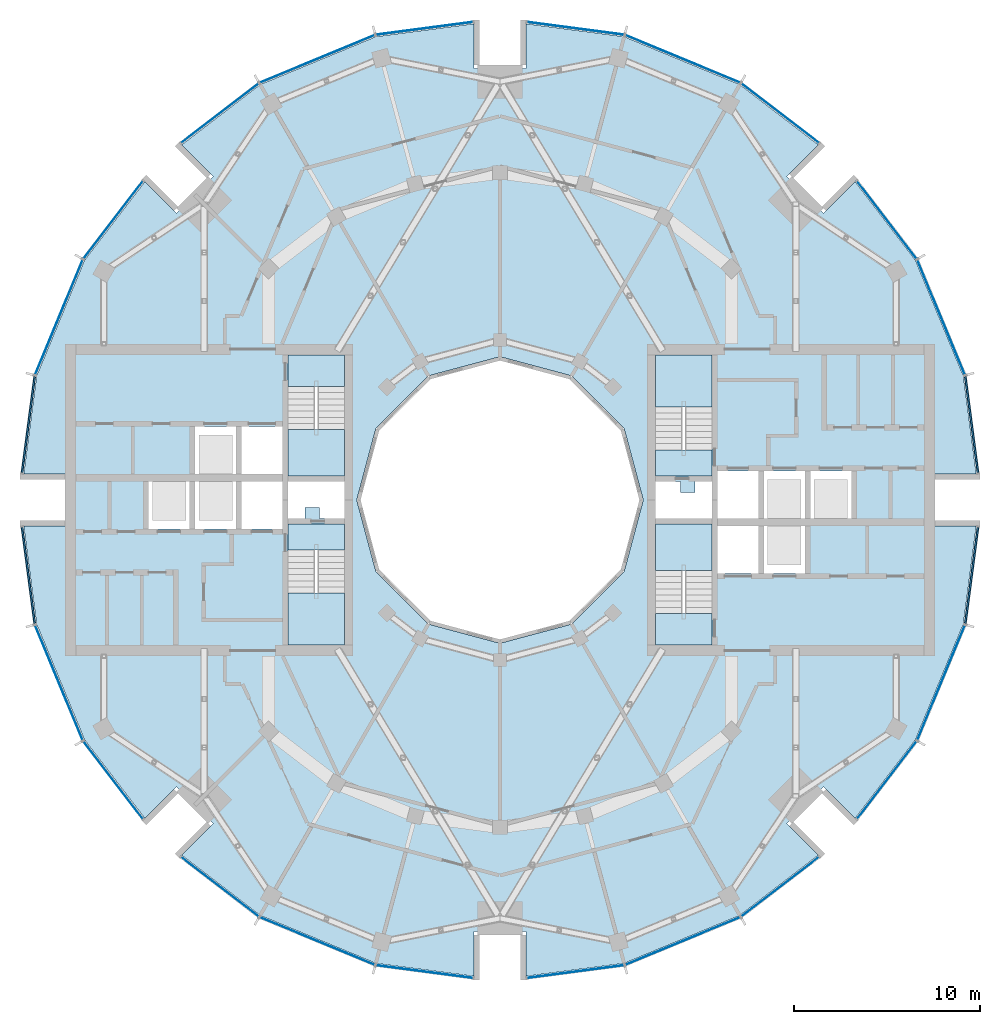
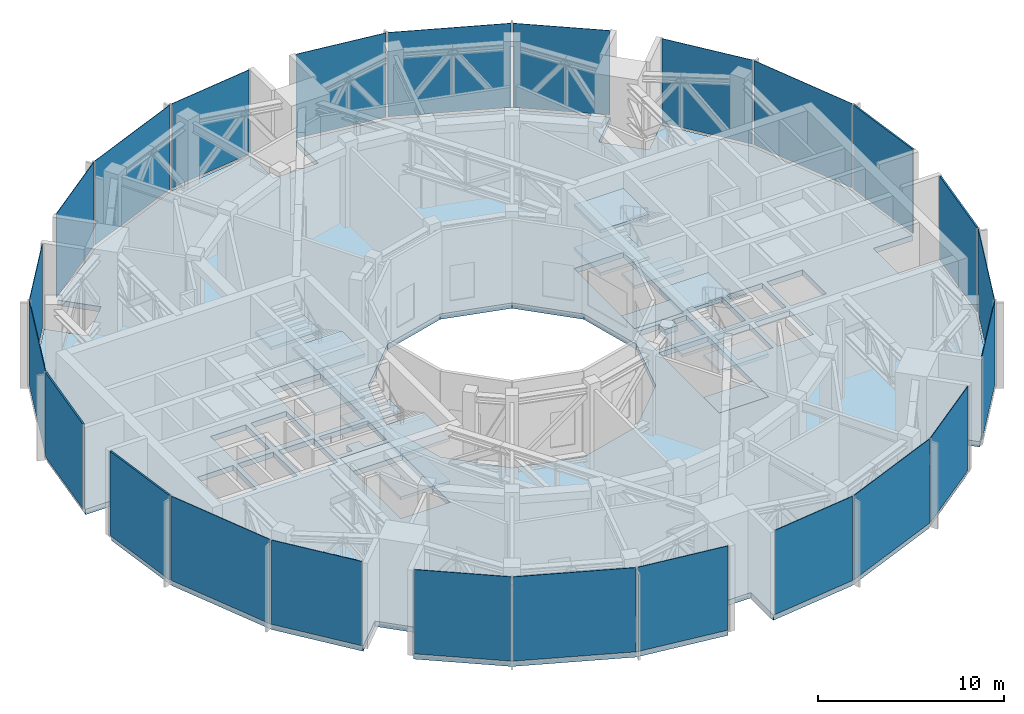
# One storey, part 11 of 18: 24 plates, 17 slabs, 28 elements without a shape of their own.
"""IFC4 building model written with IfcOpenShell, lengths in metres."""

from ifc_helpers import new_model, si_unit, direction, frame, origin, origin_2d, place, context, subcontext, project, spatial, polyline, rectangle, outline, extrude, material, layer, layer_set, type_object, element, aggregate, save


model = new_model("IFC4")

# Units and contexts
model_context = context("Model", 3, precision=1e-05, world=origin(), true_north=direction((0.0, 1.0)))
body_context = subcontext(model_context, "Body", "Model", "MODEL_VIEW")
ifc_project = project(units=[si_unit("LENGTHUNIT", "METRE"), si_unit("AREAUNIT", "SQUARE_METRE"), si_unit("VOLUMEUNIT", "CUBIC_METRE"), si_unit("PLANEANGLEUNIT", "RADIAN"), si_unit("MASSUNIT", "GRAM", prefix="KILO")], contexts=[model_context])

# Site, building, storey
site_placement = place(None, origin())
site = spatial("IfcSite", under=ifc_project, at=site_placement, CompositionType="ELEMENT")
building_placement = place(site_placement, origin())
building = spatial("IfcBuilding", under=site, at=building_placement, Name="Torre Brocal", CompositionType="ELEMENT")
storey_placement = place(building_placement, frame((0.0, 0.0, 206.89990234375)))
storey = spatial("IfcBuildingStorey", under=building, at=storey_placement, Name="L48", CompositionType="ELEMENT", Elevation=206.89990234375)

# Curtain wall, plate
ifc_material_1 = material(Name="Aluminium and glass", Category="aluminium")
ifc_layer_1 = layer(ifc_material_1, 0.199951171875)
ifc_layer_set_1 = layer_set([ifc_layer_1], Name="Aluminium and glass")
curtain_wall_type_1 = type_object("IfcCurtainWallType", Name="CW-1 CURTAIN WALL 5600 HIGH", PredefinedType="NOTDEFINED", material=ifc_layer_set_1)
curtain_wall_1_placement = place(storey_placement, origin())
curtain_wall_1 = element("IfcCurtainWall", 1, at=curtain_wall_1_placement, inside=storey, type_object=curtain_wall_type_1, Name="CW-1 RUN 2", PredefinedType="NOTDEFINED")
ifc_material_2 = material(Name="Aluminium composite panel", Category="aluminium")
ifc_layer_2 = layer(ifc_material_2, 0.031982421875)
ifc_layer_set_2 = layer_set([ifc_layer_2], Name="Aluminium composite panel")
plate_type_1 = type_object("IfcPlateType", Name="CW-1 OPAQUE PANEL 32", PredefinedType="CURTAIN_PANEL", material=ifc_layer_set_2)
plate_1_placement = place(storey_placement, frame((103.722900390625, 84.826416015625, 0.080078125), z_axis=(0.0, 0.0, 1.0), x_axis=(-0.382683432333, 0.923879532525, 0.0)))
plate_1 = element("IfcPlate", 2, at=plate_1_placement, type_object=plate_type_1, Name="CW1-2 panel 1.1", PredefinedType="CURTAIN_PANEL", context=body_context, shape_type="SweptSolid", body=[
    extrude(rectangle(XDim=6.64111328125, YDim=0.031982421875, at=origin_2d()), origin(), (0.0, 0.0, 1.0), 5.52001953125),
])
aggregate(curtain_wall_1, [plate_1])

curtain_wall_2_placement = place(storey_placement, origin())
curtain_wall_2 = element("IfcCurtainWall", 3, at=curtain_wall_2_placement, inside=storey, type_object=curtain_wall_type_1, Name="CW-1 RUN 3", PredefinedType="NOTDEFINED")
plate_2_placement = place(storey_placement, frame((100.80126953125, 90.0712890625, 0.080078125), z_axis=(0.0, 0.0, 1.0), x_axis=(-0.60876142905, 0.793353340259, 0.0)))
plate_2 = element("IfcPlate", 4, at=plate_2_placement, type_object=plate_type_1, Name="CW1-2 panel 1.1", PredefinedType="CURTAIN_PANEL", context=body_context, shape_type="SweptSolid", body=[
    extrude(rectangle(XDim=5.22900390625, YDim=0.031982421875, at=origin_2d()), origin(), (0.0, 0.0, 1.0), 5.52001953125),
])
aggregate(curtain_wall_2, [plate_2])

curtain_wall_3_placement = place(storey_placement, origin())
curtain_wall_3 = element("IfcCurtainWall", 5, at=curtain_wall_3_placement, inside=storey, type_object=curtain_wall_type_1, Name="CW-1 RUN 4", PredefinedType="NOTDEFINED")
plate_3_placement = place(storey_placement, frame((95.0712890625, 95.80126953125, 0.080078125), z_axis=(0.0, 0.0, 1.0), x_axis=(-0.793353340259, 0.60876142905, 0.0)))
plate_3 = element("IfcPlate", 6, at=plate_3_placement, type_object=plate_type_1, Name="CW1-2 panel 1.1", PredefinedType="CURTAIN_PANEL", context=body_context, shape_type="SweptSolid", body=[
    extrude(rectangle(XDim=5.22900390625, YDim=0.031982421875, at=origin_2d()), origin(), (0.0, 0.0, 1.0), 5.52001953125),
])
aggregate(curtain_wall_3, [plate_3])

curtain_wall_4_placement = place(storey_placement, origin())
curtain_wall_4 = element("IfcCurtainWall", 7, at=curtain_wall_4_placement, inside=storey, type_object=curtain_wall_type_1, Name="CW-1 RUN 5", PredefinedType="NOTDEFINED")
plate_4_placement = place(storey_placement, frame((89.826416015625, 98.722900390625, 0.080078125), z_axis=(0.0, 0.0, 1.0), x_axis=(-0.923879532525, 0.382683432333, 0.0)))
plate_4 = element("IfcPlate", 8, at=plate_4_placement, type_object=plate_type_1, Name="CW1-2 panel 1.1", PredefinedType="CURTAIN_PANEL", context=body_context, shape_type="SweptSolid", body=[
    extrude(rectangle(XDim=6.64111328125, YDim=0.031982421875, at=origin_2d()), origin(), (0.0, 0.0, 1.0), 5.52001953125),
])
aggregate(curtain_wall_4, [plate_4])

curtain_wall_5_placement = place(storey_placement, origin())
curtain_wall_5 = element("IfcCurtainWall", 9, at=curtain_wall_5_placement, inside=storey, type_object=curtain_wall_type_1, Name="CW-1 RUN 6", PredefinedType="NOTDEFINED")
plate_5_placement = place(storey_placement, frame((84.051513671875, 100.36572265625, 0.080078125), z_axis=(0.0, 0.0, 1.0), x_axis=(-0.991444861374, 0.13052619222, 0.0)))
plate_5 = element("IfcPlate", 10, at=plate_5_placement, type_object=plate_type_1, Name="CW1-2 panel 1.1", PredefinedType="CURTAIN_PANEL", context=body_context, shape_type="SweptSolid", body=[
    extrude(rectangle(XDim=5.22900390625, YDim=0.031982421875, at=origin_2d()), origin(), (0.0, 0.0, 1.0), 5.52001953125),
])
aggregate(curtain_wall_5, [plate_5])

curtain_wall_6_placement = place(storey_placement, origin())
curtain_wall_6 = element("IfcCurtainWall", 11, at=curtain_wall_6_placement, inside=storey, type_object=curtain_wall_type_1, Name="CW-1 RUN 7", PredefinedType="NOTDEFINED")
plate_6_placement = place(storey_placement, frame((75.948486328125, 100.36572265625, 0.080078125), z_axis=(0.0, 0.0, 1.0), x_axis=(-0.991444861374, -0.13052619222, 0.0)))
plate_6 = element("IfcPlate", 12, at=plate_6_placement, type_object=plate_type_1, Name="CW1-2 panel 1.1", PredefinedType="CURTAIN_PANEL", context=body_context, shape_type="SweptSolid", body=[
    extrude(rectangle(XDim=5.22900390625, YDim=0.031982421875, at=origin_2d()), origin(), (0.0, 0.0, 1.0), 5.52001953125),
])
aggregate(curtain_wall_6, [plate_6])

curtain_wall_7_placement = place(storey_placement, origin())
curtain_wall_7 = element("IfcCurtainWall", 13, at=curtain_wall_7_placement, inside=storey, type_object=curtain_wall_type_1, Name="CW-1 RUN 8", PredefinedType="NOTDEFINED")
plate_7_placement = place(storey_placement, frame((70.173583984375, 98.722900390625, 0.080078125), z_axis=(0.0, 0.0, 1.0), x_axis=(-0.923879532525, -0.382683432333, 0.0)))
plate_7 = element("IfcPlate", 14, at=plate_7_placement, type_object=plate_type_1, Name="CW1-2 panel 1.1", PredefinedType="CURTAIN_PANEL", context=body_context, shape_type="SweptSolid", body=[
    extrude(rectangle(XDim=6.64111328125, YDim=0.031982421875, at=origin_2d()), origin(), (0.0, 0.0, 1.0), 5.52001953125),
])
aggregate(curtain_wall_7, [plate_7])

curtain_wall_8_placement = place(storey_placement, origin())
curtain_wall_8 = element("IfcCurtainWall", 15, at=curtain_wall_8_placement, inside=storey, type_object=curtain_wall_type_1, Name="CW-1 RUN 9", PredefinedType="NOTDEFINED")
plate_8_placement = place(storey_placement, frame((64.9287109375, 95.80126953125, 0.080078125), z_axis=(0.0, 0.0, 1.0), x_axis=(-0.793353340259, -0.60876142905, 0.0)))
plate_8 = element("IfcPlate", 16, at=plate_8_placement, type_object=plate_type_1, Name="CW1-2 panel 1.1", PredefinedType="CURTAIN_PANEL", context=body_context, shape_type="SweptSolid", body=[
    extrude(rectangle(XDim=5.22900390625, YDim=0.031982421875, at=origin_2d()), origin(), (0.0, 0.0, 1.0), 5.52001953125),
])
aggregate(curtain_wall_8, [plate_8])

curtain_wall_9_placement = place(storey_placement, origin())
curtain_wall_9 = element("IfcCurtainWall", 17, at=curtain_wall_9_placement, inside=storey, type_object=curtain_wall_type_1, Name="CW-1 RUN 10", PredefinedType="NOTDEFINED")
plate_9_placement = place(storey_placement, frame((59.19873046875, 90.0712890625, 0.080078125), z_axis=(0.0, 0.0, 1.0), x_axis=(-0.60876142905, -0.793353340259, 0.0)))
plate_9 = element("IfcPlate", 18, at=plate_9_placement, type_object=plate_type_1, Name="CW1-2 panel 1.1", PredefinedType="CURTAIN_PANEL", context=body_context, shape_type="SweptSolid", body=[
    extrude(rectangle(XDim=5.22900390625, YDim=0.031982421875, at=origin_2d()), origin(), (0.0, 0.0, 1.0), 5.52001953125),
])
aggregate(curtain_wall_9, [plate_9])

curtain_wall_10_placement = place(storey_placement, origin())
curtain_wall_10 = element("IfcCurtainWall", 19, at=curtain_wall_10_placement, inside=storey, type_object=curtain_wall_type_1, Name="CW-1 RUN 11", PredefinedType="NOTDEFINED")
plate_10_placement = place(storey_placement, frame((56.277099609375, 84.826416015625, 0.080078125), z_axis=(0.0, 0.0, 1.0), x_axis=(-0.382683432333, -0.923879532525, 0.0)))
plate_10 = element("IfcPlate", 20, at=plate_10_placement, type_object=plate_type_1, Name="CW1-2 panel 1.1", PredefinedType="CURTAIN_PANEL", context=body_context, shape_type="SweptSolid", body=[
    extrude(rectangle(XDim=6.64111328125, YDim=0.031982421875, at=origin_2d()), origin(), (0.0, 0.0, 1.0), 5.52001953125),
])
aggregate(curtain_wall_10, [plate_10])

curtain_wall_11_placement = place(storey_placement, origin())
curtain_wall_11 = element("IfcCurtainWall", 21, at=curtain_wall_11_placement, inside=storey, type_object=curtain_wall_type_1, Name="CW-1 RUN 14", PredefinedType="NOTDEFINED")
plate_11_placement = place(storey_placement, frame((56.277099609375, 65.173583984375, 0.080078125), z_axis=(0.0, 0.0, 1.0), x_axis=(0.382683432333, -0.923879532525, 0.0)))
plate_11 = element("IfcPlate", 22, at=plate_11_placement, type_object=plate_type_1, Name="CW1-2 panel 1.1", PredefinedType="CURTAIN_PANEL", context=body_context, shape_type="SweptSolid", body=[
    extrude(rectangle(XDim=6.64111328125, YDim=0.031982421875, at=origin_2d()), origin(), (0.0, 0.0, 1.0), 5.52001953125),
])
aggregate(curtain_wall_11, [plate_11])

curtain_wall_12_placement = place(storey_placement, origin())
curtain_wall_12 = element("IfcCurtainWall", 23, at=curtain_wall_12_placement, inside=storey, type_object=curtain_wall_type_1, Name="CW-1 RUN 15", PredefinedType="NOTDEFINED")
plate_12_placement = place(storey_placement, frame((59.19873046875, 59.9287109375, 0.080078125), z_axis=(0.0, 0.0, 1.0), x_axis=(0.60876142905, -0.793353340259, 0.0)))
plate_12 = element("IfcPlate", 24, at=plate_12_placement, type_object=plate_type_1, Name="CW1-2 panel 1.1", PredefinedType="CURTAIN_PANEL", context=body_context, shape_type="SweptSolid", body=[
    extrude(rectangle(XDim=5.22900390625, YDim=0.031982421875, at=origin_2d()), origin(), (0.0, 0.0, 1.0), 5.52001953125),
])
aggregate(curtain_wall_12, [plate_12])

curtain_wall_13_placement = place(storey_placement, origin())
curtain_wall_13 = element("IfcCurtainWall", 25, at=curtain_wall_13_placement, inside=storey, type_object=curtain_wall_type_1, Name="CW-1 RUN 16", PredefinedType="NOTDEFINED")
plate_13_placement = place(storey_placement, frame((64.9287109375, 54.19873046875, 0.080078125), z_axis=(0.0, 0.0, 1.0), x_axis=(0.793353340259, -0.60876142905, 0.0)))
plate_13 = element("IfcPlate", 26, at=plate_13_placement, type_object=plate_type_1, Name="CW1-2 panel 1.1", PredefinedType="CURTAIN_PANEL", context=body_context, shape_type="SweptSolid", body=[
    extrude(rectangle(XDim=5.22900390625, YDim=0.031982421875, at=origin_2d()), origin(), (0.0, 0.0, 1.0), 5.52001953125),
])
aggregate(curtain_wall_13, [plate_13])

curtain_wall_14_placement = place(storey_placement, origin())
curtain_wall_14 = element("IfcCurtainWall", 27, at=curtain_wall_14_placement, inside=storey, type_object=curtain_wall_type_1, Name="CW-1 RUN 17", PredefinedType="NOTDEFINED")
plate_14_placement = place(storey_placement, frame((70.173583984375, 51.277099609375, 0.080078125), z_axis=(0.0, 0.0, 1.0), x_axis=(0.923879532525, -0.382683432333, 0.0)))
plate_14 = element("IfcPlate", 28, at=plate_14_placement, type_object=plate_type_1, Name="CW1-2 panel 1.1", PredefinedType="CURTAIN_PANEL", context=body_context, shape_type="SweptSolid", body=[
    extrude(rectangle(XDim=6.64111328125, YDim=0.031982421875, at=origin_2d()), origin(), (0.0, 0.0, 1.0), 5.52001953125),
])
aggregate(curtain_wall_14, [plate_14])

curtain_wall_15_placement = place(storey_placement, origin())
curtain_wall_15 = element("IfcCurtainWall", 29, at=curtain_wall_15_placement, inside=storey, type_object=curtain_wall_type_1, Name="CW-1 RUN 18", PredefinedType="NOTDEFINED")
plate_15_placement = place(storey_placement, frame((75.948486328125, 49.63427734375, 0.080078125), z_axis=(0.0, 0.0, 1.0), x_axis=(0.991444861374, -0.13052619222, 0.0)))
plate_15 = element("IfcPlate", 30, at=plate_15_placement, type_object=plate_type_1, Name="CW1-2 panel 1.1", PredefinedType="CURTAIN_PANEL", context=body_context, shape_type="SweptSolid", body=[
    extrude(rectangle(XDim=5.22900390625, YDim=0.031982421875, at=origin_2d()), origin(), (0.0, 0.0, 1.0), 5.52001953125),
])
aggregate(curtain_wall_15, [plate_15])

curtain_wall_16_placement = place(storey_placement, origin())
curtain_wall_16 = element("IfcCurtainWall", 31, at=curtain_wall_16_placement, inside=storey, type_object=curtain_wall_type_1, Name="CW-1 RUN 19", PredefinedType="NOTDEFINED")
plate_16_placement = place(storey_placement, frame((84.051513671875, 49.63427734375, 0.080078125), z_axis=(0.0, 0.0, 1.0), x_axis=(0.991444861374, 0.13052619222, 0.0)))
plate_16 = element("IfcPlate", 32, at=plate_16_placement, type_object=plate_type_1, Name="CW1-2 panel 1.1", PredefinedType="CURTAIN_PANEL", context=body_context, shape_type="SweptSolid", body=[
    extrude(rectangle(XDim=5.22900390625, YDim=0.031982421875, at=origin_2d()), origin(), (0.0, 0.0, 1.0), 5.52001953125),
])
aggregate(curtain_wall_16, [plate_16])

curtain_wall_17_placement = place(storey_placement, origin())
curtain_wall_17 = element("IfcCurtainWall", 33, at=curtain_wall_17_placement, inside=storey, type_object=curtain_wall_type_1, Name="CW-1 RUN 20", PredefinedType="NOTDEFINED")
plate_17_placement = place(storey_placement, frame((89.826416015625, 51.277099609375, 0.080078125), z_axis=(0.0, 0.0, 1.0), x_axis=(0.923879532525, 0.382683432333, 0.0)))
plate_17 = element("IfcPlate", 34, at=plate_17_placement, type_object=plate_type_1, Name="CW1-2 panel 1.1", PredefinedType="CURTAIN_PANEL", context=body_context, shape_type="SweptSolid", body=[
    extrude(rectangle(XDim=6.64111328125, YDim=0.031982421875, at=origin_2d()), origin(), (0.0, 0.0, 1.0), 5.52001953125),
])
aggregate(curtain_wall_17, [plate_17])

curtain_wall_18_placement = place(storey_placement, origin())
curtain_wall_18 = element("IfcCurtainWall", 35, at=curtain_wall_18_placement, inside=storey, type_object=curtain_wall_type_1, Name="CW-1 RUN 21", PredefinedType="NOTDEFINED")
plate_18_placement = place(storey_placement, frame((95.0712890625, 54.19873046875, 0.080078125), z_axis=(0.0, 0.0, 1.0), x_axis=(0.793353340259, 0.60876142905, 0.0)))
plate_18 = element("IfcPlate", 36, at=plate_18_placement, type_object=plate_type_1, Name="CW1-2 panel 1.1", PredefinedType="CURTAIN_PANEL", context=body_context, shape_type="SweptSolid", body=[
    extrude(rectangle(XDim=5.22900390625, YDim=0.031982421875, at=origin_2d()), origin(), (0.0, 0.0, 1.0), 5.52001953125),
])
aggregate(curtain_wall_18, [plate_18])

curtain_wall_19_placement = place(storey_placement, origin())
curtain_wall_19 = element("IfcCurtainWall", 37, at=curtain_wall_19_placement, inside=storey, type_object=curtain_wall_type_1, Name="CW-1 RUN 22", PredefinedType="NOTDEFINED")
plate_19_placement = place(storey_placement, frame((100.80126953125, 59.9287109375, 0.080078125), z_axis=(0.0, 0.0, 1.0), x_axis=(0.60876142905, 0.793353340259, 0.0)))
plate_19 = element("IfcPlate", 38, at=plate_19_placement, type_object=plate_type_1, Name="CW1-2 panel 1.1", PredefinedType="CURTAIN_PANEL", context=body_context, shape_type="SweptSolid", body=[
    extrude(rectangle(XDim=5.22900390625, YDim=0.031982421875, at=origin_2d()), origin(), (0.0, 0.0, 1.0), 5.52001953125),
])
aggregate(curtain_wall_19, [plate_19])

curtain_wall_20_placement = place(storey_placement, origin())
curtain_wall_20 = element("IfcCurtainWall", 39, at=curtain_wall_20_placement, inside=storey, type_object=curtain_wall_type_1, Name="CW-1 RUN 23", PredefinedType="NOTDEFINED")
plate_20_placement = place(storey_placement, frame((103.722900390625, 65.173583984375, 0.080078125), z_axis=(0.0, 0.0, 1.0), x_axis=(0.382683432333, 0.923879532525, 0.0)))
plate_20 = element("IfcPlate", 40, at=plate_20_placement, type_object=plate_type_1, Name="CW1-2 panel 1.1", PredefinedType="CURTAIN_PANEL", context=body_context, shape_type="SweptSolid", body=[
    extrude(rectangle(XDim=6.64111328125, YDim=0.031982421875, at=origin_2d()), origin(), (0.0, 0.0, 1.0), 5.52001953125),
])
aggregate(curtain_wall_20, [plate_20])

ifc_material_3 = material(Name="Aluminium and glass", Category="aluminium")
ifc_layer_3 = layer(ifc_material_3, 0.199951171875)
ifc_layer_set_3 = layer_set([ifc_layer_3], Name="Aluminium and glass")
curtain_wall_type_2 = type_object("IfcCurtainWallType", Name="CW-1B CURTAIN WALL 5600 HIGH", PredefinedType="NOTDEFINED", material=ifc_layer_set_3)
curtain_wall_21_placement = place(storey_placement, origin())
curtain_wall_21 = element("IfcCurtainWall", 41, at=curtain_wall_21_placement, inside=storey, type_object=curtain_wall_type_2, Name="CW-1B RUN 1", PredefinedType="NOTDEFINED")
ifc_material_4 = material(Name="Aluminium composite panel", Category="aluminium")
ifc_layer_4 = layer(ifc_material_4, 0.10009765625)
ifc_layer_set_4 = layer_set([ifc_layer_4], Name="Aluminium composite panel")
plate_type_2 = type_object("IfcPlateType", Name="CW-1B OPAQUE PANEL 100", PredefinedType="CURTAIN_PANEL", material=ifc_layer_set_4)
plate_21_placement = place(storey_placement, frame((105.36572265625, 79.051513671875, 0.080078125), z_axis=(0.0, 0.0, 1.0), x_axis=(-0.13052619222, 0.991444861374, 0.0)))
plate_21 = element("IfcPlate", 42, at=plate_21_placement, type_object=plate_type_2, Name="CW1B-2 panel 1.1", PredefinedType="CURTAIN_PANEL", context=body_context, shape_type="SweptSolid", body=[
    extrude(rectangle(XDim=5.22900390625, YDim=0.10009765625, at=origin_2d()), origin(), (0.0, 0.0, 1.0), 5.52001953125),
])
aggregate(curtain_wall_21, [plate_21])

curtain_wall_22_placement = place(storey_placement, origin())
curtain_wall_22 = element("IfcCurtainWall", 43, at=curtain_wall_22_placement, inside=storey, type_object=curtain_wall_type_2, Name="CW-1B RUN 12", PredefinedType="NOTDEFINED")
plate_22_placement = place(storey_placement, frame((54.63427734375, 79.051513671875, 0.080078125), z_axis=(0.0, 0.0, 1.0), x_axis=(-0.13052619222, -0.991444861374, 0.0)))
plate_22 = element("IfcPlate", 44, at=plate_22_placement, type_object=plate_type_2, Name="CW1B-2 panel 1.1", PredefinedType="CURTAIN_PANEL", context=body_context, shape_type="SweptSolid", body=[
    extrude(rectangle(XDim=5.22900390625, YDim=0.10009765625, at=origin_2d()), origin(), (0.0, 0.0, 1.0), 5.52001953125),
])
aggregate(curtain_wall_22, [plate_22])

curtain_wall_23_placement = place(storey_placement, origin())
curtain_wall_23 = element("IfcCurtainWall", 45, at=curtain_wall_23_placement, inside=storey, type_object=curtain_wall_type_2, Name="CW-1B RUN 13", PredefinedType="NOTDEFINED")
plate_23_placement = place(storey_placement, frame((54.63427734375, 70.948486328125, 0.080078125), z_axis=(0.0, 0.0, 1.0), x_axis=(0.13052619222, -0.991444861374, 0.0)))
plate_23 = element("IfcPlate", 46, at=plate_23_placement, type_object=plate_type_2, Name="CW1B-2 panel 1.1", PredefinedType="CURTAIN_PANEL", context=body_context, shape_type="SweptSolid", body=[
    extrude(rectangle(XDim=5.22900390625, YDim=0.10009765625, at=origin_2d()), origin(), (0.0, 0.0, 1.0), 5.52001953125),
])
aggregate(curtain_wall_23, [plate_23])

curtain_wall_24_placement = place(storey_placement, origin())
curtain_wall_24 = element("IfcCurtainWall", 47, at=curtain_wall_24_placement, inside=storey, type_object=curtain_wall_type_2, Name="CW-1B RUN 24", PredefinedType="NOTDEFINED")
plate_24_placement = place(storey_placement, frame((105.36572265625, 70.948486328125, 0.080078125), z_axis=(0.0, 0.0, 1.0), x_axis=(0.13052619222, 0.991444861374, 0.0)))
plate_24 = element("IfcPlate", 48, at=plate_24_placement, type_object=plate_type_2, Name="CW1B-2 panel 1.1", PredefinedType="CURTAIN_PANEL", context=body_context, shape_type="SweptSolid", body=[
    extrude(rectangle(XDim=5.22900390625, YDim=0.10009765625, at=origin_2d()), origin(), (0.0, 0.0, 1.0), 5.52001953125),
])
aggregate(curtain_wall_24, [plate_24])

# Stair, slab
ifc_material_5 = material(Name="Concrete C50", Category="concrete")
stair_type = type_object("IfcStairType", Name="EXIT STAIR", PredefinedType="HALF_TURN_STAIR", material=ifc_material_5)
stair_1_placement = place(storey_placement, origin())
stair_1 = element("IfcStair", 49, at=stair_1_placement, inside=storey, type_object=stair_type, Name="EXIT STAIR ST1", PredefinedType="HALF_TURN_STAIR")
ifc_material_6 = material(Name="Concrete C50", Category="concrete")
ifc_layer_5 = layer(ifc_material_6, 0.35009765625)
ifc_layer_set_5 = layer_set([ifc_layer_5], Name="Concrete C50")
slab_type_1 = type_object("IfcSlabType", Name="FLOOR LANDING 350", PredefinedType="LANDING", material=ifc_layer_set_5)
slab_1_placement = place(storey_placement, frame((0.0, 0.0, -0.349853515625)))
slab_1 = element("IfcSlab", 50, at=slab_1_placement, type_object=slab_type_1, Name="ST1 landing 1", PredefinedType="LANDING", context=body_context, shape_type="SweptSolid", body=[
    extrude(outline(polyline([(88.35009765625, 76.300048828125), (91.39990234375, 76.300048828125), (91.39990234375, 77.699951171875), (88.35009765625, 77.699951171875), (88.35009765625, 76.300048828125)])), origin(), (0.0, 0.0, 1.0), 0.349853515625),
])

stair_2_placement = place(storey_placement, origin())
stair_2 = element("IfcStair", 51, at=stair_2_placement, inside=storey, type_object=stair_type, Name="EXIT STAIR ST2", PredefinedType="HALF_TURN_STAIR")
slab_2_placement = place(storey_placement, frame((0.0, 0.0, -0.349853515625)))
slab_2 = element("IfcSlab", 52, at=slab_2_placement, type_object=slab_type_1, Name="ST2 landing 1", PredefinedType="LANDING", context=body_context, shape_type="SweptSolid", body=[
    extrude(outline(polyline([(88.35009765625, 67.199951171875), (91.39990234375, 67.199951171875), (91.39990234375, 68.89990234375), (88.35009765625, 68.89990234375), (88.35009765625, 67.199951171875)])), origin(), (0.0, 0.0, 1.0), 0.349853515625),
])

stair_3_placement = place(storey_placement, origin())
stair_3 = element("IfcStair", 53, at=stair_3_placement, inside=storey, type_object=stair_type, Name="EXIT STAIR ST3", PredefinedType="HALF_TURN_STAIR")
slab_3_placement = place(storey_placement, frame((0.0, 0.0, -0.349853515625)))
slab_3 = element("IfcSlab", 54, at=slab_3_placement, type_object=slab_type_1, Name="ST3 landing 1", PredefinedType="LANDING", context=body_context, shape_type="SweptSolid", body=[
    extrude(outline(polyline([(71.64990234375, 73.699951171875), (68.60009765625, 73.699951171875), (68.60009765625, 72.300048828125), (71.64990234375, 72.300048828125), (71.64990234375, 73.699951171875)])), origin(), (0.0, 0.0, 1.0), 0.349853515625),
])

stair_4_placement = place(storey_placement, origin())
stair_4 = element("IfcStair", 55, at=stair_4_placement, inside=storey, type_object=stair_type, Name="EXIT STAIR ST4", PredefinedType="HALF_TURN_STAIR")
slab_4_placement = place(storey_placement, frame((0.0, 0.0, -0.349853515625)))
slab_4 = element("IfcSlab", 56, at=slab_4_placement, type_object=slab_type_1, Name="ST4 landing 1", PredefinedType="LANDING", context=body_context, shape_type="SweptSolid", body=[
    extrude(outline(polyline([(71.64990234375, 82.800048828125), (68.60009765625, 82.800048828125), (68.60009765625, 81.10009765625), (71.64990234375, 81.10009765625), (71.64990234375, 82.800048828125)])), origin(), (0.0, 0.0, 1.0), 0.349853515625),
])

# Slab
ifc_material_7 = material(Name="Concrete C50", Category="concrete")
ifc_layer_6 = layer(ifc_material_7, 0.199951171875)
ifc_layer_set_6 = layer_set([ifc_layer_6], Name="Concrete C50")
slab_type_2 = type_object("IfcSlabType", Name="MID LANDING +1400", PredefinedType="LANDING", material=ifc_layer_set_6)
slab_5_placement = place(storey_placement, frame((0.0, 0.0, 1.2001953125)))
slab_5 = element("IfcSlab", 57, at=slab_5_placement, type_object=slab_type_2, Name="ST1 landing 2", PredefinedType="LANDING", context=body_context, shape_type="SweptSolid", body=[
    extrude(outline(polyline([(88.35009765625, 80.010009765625), (91.39990234375, 80.010009765625), (91.39990234375, 82.800048828125), (88.35009765625, 82.800048828125), (88.35009765625, 80.010009765625)])), origin(), (0.0, 0.0, 1.0), 0.199951171875),
])

slab_6_placement = place(storey_placement, frame((0.0, 0.0, 1.2001953125)))
slab_6 = element("IfcSlab", 58, at=slab_6_placement, type_object=slab_type_2, Name="ST2 landing 2", PredefinedType="LANDING", context=body_context, shape_type="SweptSolid", body=[
    extrude(outline(polyline([(88.35009765625, 71.2099609375), (91.39990234375, 71.2099609375), (91.39990234375, 73.699951171875), (88.35009765625, 73.699951171875), (88.35009765625, 71.2099609375)])), origin(), (0.0, 0.0, 1.0), 0.199951171875),
])

slab_7_placement = place(storey_placement, frame((0.0, 0.0, 1.2001953125)))
slab_7 = element("IfcSlab", 59, at=slab_7_placement, type_object=slab_type_2, Name="ST3 landing 2", PredefinedType="LANDING", context=body_context, shape_type="SweptSolid", body=[
    extrude(outline(polyline([(71.64990234375, 69.989990234375), (68.60009765625, 69.989990234375), (68.60009765625, 67.199951171875), (71.64990234375, 67.199951171875), (71.64990234375, 69.989990234375)])), origin(), (0.0, 0.0, 1.0), 0.199951171875),
])

slab_8_placement = place(storey_placement, frame((0.0, 0.0, 1.2001953125)))
slab_8 = element("IfcSlab", 60, at=slab_8_placement, type_object=slab_type_2, Name="ST4 landing 2", PredefinedType="LANDING", context=body_context, shape_type="SweptSolid", body=[
    extrude(outline(polyline([(71.64990234375, 78.7900390625), (68.60009765625, 78.7900390625), (68.60009765625, 76.300048828125), (71.64990234375, 76.300048828125), (71.64990234375, 78.7900390625)])), origin(), (0.0, 0.0, 1.0), 0.199951171875),
])

ifc_material_8 = material(Name="Concrete C50", Category="concrete")
ifc_layer_7 = layer(ifc_material_8, 0.199951171875)
ifc_layer_set_7 = layer_set([ifc_layer_7], Name="Concrete C50")
slab_type_3 = type_object("IfcSlabType", Name="MID LANDING +2800", PredefinedType="LANDING", material=ifc_layer_set_7)
slab_9_placement = place(storey_placement, frame((0.0, 0.0, 2.60009765625)))
slab_9 = element("IfcSlab", 61, at=slab_9_placement, type_object=slab_type_3, Name="ST1 landing 3", PredefinedType="LANDING", context=body_context, shape_type="SweptSolid", body=[
    extrude(outline(polyline([(88.35009765625, 76.300048828125), (91.39990234375, 76.300048828125), (91.39990234375, 77.699951171875), (88.35009765625, 77.699951171875), (88.35009765625, 76.300048828125)])), origin(), (0.0, 0.0, 1.0), 0.199951171875),
])

slab_10_placement = place(storey_placement, frame((0.0, 0.0, 2.60009765625)))
slab_10 = element("IfcSlab", 62, at=slab_10_placement, type_object=slab_type_3, Name="ST2 landing 3", PredefinedType="LANDING", context=body_context, shape_type="SweptSolid", body=[
    extrude(outline(polyline([(88.35009765625, 67.199951171875), (91.39990234375, 67.199951171875), (91.39990234375, 68.89990234375), (88.35009765625, 68.89990234375), (88.35009765625, 67.199951171875)])), origin(), (0.0, 0.0, 1.0), 0.199951171875),
])

slab_11_placement = place(storey_placement, frame((0.0, 0.0, 2.60009765625)))
slab_11 = element("IfcSlab", 63, at=slab_11_placement, type_object=slab_type_3, Name="ST3 landing 3", PredefinedType="LANDING", context=body_context, shape_type="SweptSolid", body=[
    extrude(outline(polyline([(71.64990234375, 73.699951171875), (68.60009765625, 73.699951171875), (68.60009765625, 72.300048828125), (71.64990234375, 72.300048828125), (71.64990234375, 73.699951171875)])), origin(), (0.0, 0.0, 1.0), 0.199951171875),
])

slab_12_placement = place(storey_placement, frame((0.0, 0.0, 2.60009765625)))
slab_12 = element("IfcSlab", 64, at=slab_12_placement, type_object=slab_type_3, Name="ST4 landing 3", PredefinedType="LANDING", context=body_context, shape_type="SweptSolid", body=[
    extrude(outline(polyline([(71.64990234375, 82.800048828125), (68.60009765625, 82.800048828125), (68.60009765625, 81.10009765625), (71.64990234375, 81.10009765625), (71.64990234375, 82.800048828125)])), origin(), (0.0, 0.0, 1.0), 0.199951171875),
])

ifc_material_9 = material(Name="Concrete C50", Category="concrete")
ifc_layer_8 = layer(ifc_material_9, 0.199951171875)
ifc_layer_set_8 = layer_set([ifc_layer_8], Name="Concrete C50")
slab_type_4 = type_object("IfcSlabType", Name="MID LANDING +4200", PredefinedType="LANDING", material=ifc_layer_set_8)
slab_13_placement = place(storey_placement, frame((0.0, 0.0, 4.0)))
slab_13 = element("IfcSlab", 65, at=slab_13_placement, type_object=slab_type_4, Name="ST1 landing 4", PredefinedType="LANDING", context=body_context, shape_type="SweptSolid", body=[
    extrude(outline(polyline([(88.35009765625, 80.010009765625), (91.39990234375, 80.010009765625), (91.39990234375, 82.800048828125), (88.35009765625, 82.800048828125), (88.35009765625, 80.010009765625)])), origin(), (0.0, 0.0, 1.0), 0.2001953125),
])

aggregate(stair_1, [slab_1, slab_5, slab_9, slab_13])

slab_14_placement = place(storey_placement, frame((0.0, 0.0, 4.0)))
slab_14 = element("IfcSlab", 66, at=slab_14_placement, type_object=slab_type_4, Name="ST2 landing 4", PredefinedType="LANDING", context=body_context, shape_type="SweptSolid", body=[
    extrude(outline(polyline([(88.35009765625, 71.2099609375), (91.39990234375, 71.2099609375), (91.39990234375, 73.699951171875), (88.35009765625, 73.699951171875), (88.35009765625, 71.2099609375)])), origin(), (0.0, 0.0, 1.0), 0.2001953125),
])

aggregate(stair_2, [slab_2, slab_6, slab_10, slab_14])

slab_15_placement = place(storey_placement, frame((0.0, 0.0, 4.0)))
slab_15 = element("IfcSlab", 67, at=slab_15_placement, type_object=slab_type_4, Name="ST3 landing 4", PredefinedType="LANDING", context=body_context, shape_type="SweptSolid", body=[
    extrude(outline(polyline([(71.64990234375, 69.989990234375), (68.60009765625, 69.989990234375), (68.60009765625, 67.199951171875), (71.64990234375, 67.199951171875), (71.64990234375, 69.989990234375)])), origin(), (0.0, 0.0, 1.0), 0.2001953125),
])

aggregate(stair_3, [slab_3, slab_7, slab_11, slab_15])

slab_16_placement = place(storey_placement, frame((0.0, 0.0, 4.0)))
slab_16 = element("IfcSlab", 68, at=slab_16_placement, type_object=slab_type_4, Name="ST4 landing 4", PredefinedType="LANDING", context=body_context, shape_type="SweptSolid", body=[
    extrude(outline(polyline([(71.64990234375, 78.7900390625), (68.60009765625, 78.7900390625), (68.60009765625, 76.300048828125), (71.64990234375, 76.300048828125), (71.64990234375, 78.7900390625)])), origin(), (0.0, 0.0, 1.0), 0.2001953125),
])

aggregate(stair_4, [slab_4, slab_8, slab_12, slab_16])

ifc_material_10 = material(Name="Concrete C45", Category="concrete")
ifc_layer_9 = layer(ifc_material_10, 0.35009765625)
ifc_layer_set_9 = layer_set([ifc_layer_9], Name="Concrete C45")
slab_type_5 = type_object("IfcSlabType", Name="PT FLOOR SLAB 350 C45", PredefinedType="FLOOR", material=ifc_layer_set_9)
slab_17_placement = place(storey_placement, frame((0.0, 0.0, -0.349853515625)))
element("IfcSlab", 69, at=slab_17_placement, inside=storey, type_object=slab_type_5, Name="Slab ST-11", PredefinedType="FLOOR", context=body_context, shape_type="SweptSolid", body=[
    extrude(outline(polyline([(103.199951171875, 76.39990234375), (103.199951171875, 73.60009765625), (105.614013671875, 73.60009765625), (104.919189453125, 68.322998046875), (102.342041015625, 62.100830078125), (99.101806640625, 57.878173828125), (97.394775390625, 59.5849609375), (95.4150390625, 57.605224609375), (97.121826171875, 55.898193359375), (92.899169921875, 52.657958984375), (86.677001953125, 50.080810546875), (81.39990234375, 49.385986328125), (81.39990234375, 51.800048828125), (78.60009765625, 51.800048828125), (78.60009765625, 49.385986328125), (73.322998046875, 50.080810546875), (67.100830078125, 52.657958984375), (62.878173828125, 55.898193359375), (64.5849609375, 57.605224609375), (62.605224609375, 59.5849609375), (60.898193359375, 57.878173828125), (57.657958984375, 62.100830078125), (55.080810546875, 68.322998046875), (54.385986328125, 73.60009765625), (56.800048828125, 73.60009765625), (56.800048828125, 76.39990234375), (54.385986328125, 76.39990234375), (55.080810546875, 81.677001953125), (57.657958984375, 87.899169921875), (60.898193359375, 92.121826171875), (62.605224609375, 90.4150390625), (64.5849609375, 92.394775390625), (62.878173828125, 94.101806640625), (67.100830078125, 97.342041015625), (73.322998046875, 99.919189453125), (78.60009765625, 100.614013671875), (78.60009765625, 98.199951171875), (81.39990234375, 98.199951171875), (81.39990234375, 100.614013671875), (86.677001953125, 99.919189453125), (92.899169921875, 97.342041015625), (97.121826171875, 94.101806640625), (95.4150390625, 92.394775390625), (97.394775390625, 90.4150390625), (99.101806640625, 92.121826171875), (102.342041015625, 87.899169921875), (104.919189453125, 81.677001953125), (105.614013671875, 76.39990234375), (103.199951171875, 76.39990234375)]), holes=[polyline([(98.89990234375, 76.550048828125), (96.699951171875, 76.550048828125), (96.699951171875, 74.0), (98.89990234375, 74.0), (98.89990234375, 76.550048828125)]), polyline([(96.39990234375, 76.550048828125), (94.199951171875, 76.550048828125), (94.199951171875, 74.0), (96.39990234375, 74.0), (96.39990234375, 76.550048828125)]), polyline([(96.39990234375, 73.60009765625), (94.199951171875, 73.60009765625), (94.199951171875, 71.050048828125), (96.39990234375, 71.050048828125), (96.39990234375, 73.60009765625)]), polyline([(93.89990234375, 76.550048828125), (91.699951171875, 76.550048828125), (91.699951171875, 74.0), (93.89990234375, 74.0), (93.89990234375, 76.550048828125)]), polyline([(93.89990234375, 73.60009765625), (91.699951171875, 73.60009765625), (91.699951171875, 71.050048828125), (93.89990234375, 71.050048828125), (93.89990234375, 73.60009765625)]), polyline([(89.699951171875, 76.0), (88.35009765625, 76.0), (88.35009765625, 74.0), (91.39990234375, 74.0), (91.39990234375, 76.0), (90.5, 76.0), (90.5, 75.39990234375), (89.699951171875, 75.39990234375), (89.699951171875, 76.0)]), polyline([(91.39990234375, 82.800048828125), (88.35009765625, 82.800048828125), (88.35009765625, 76.300048828125), (91.39990234375, 76.300048828125), (91.39990234375, 82.800048828125)]), polyline([(91.39990234375, 73.699951171875), (88.35009765625, 73.699951171875), (88.35009765625, 67.199951171875), (91.39990234375, 67.199951171875), (91.39990234375, 73.699951171875)]), polyline([(80.0, 82.70703125), (76.146484375, 81.674560546875), (73.325439453125, 78.853515625), (72.29296875, 75.0), (73.325439453125, 71.146484375), (76.146484375, 68.325439453125), (80.0, 67.29296875), (83.853515625, 68.325439453125), (86.674560546875, 71.146484375), (87.70703125, 75.0), (86.674560546875, 78.853515625), (83.853515625, 81.674560546875), (80.0, 82.70703125)]), polyline([(70.300048828125, 74.0), (71.64990234375, 74.0), (71.64990234375, 76.0), (68.60009765625, 76.0), (68.60009765625, 74.0), (69.5, 74.0), (69.5, 74.60009765625), (70.300048828125, 74.60009765625), (70.300048828125, 74.0)]), polyline([(68.60009765625, 76.300048828125), (71.64990234375, 76.300048828125), (71.64990234375, 82.800048828125), (68.60009765625, 82.800048828125), (68.60009765625, 76.300048828125)]), polyline([(68.60009765625, 67.199951171875), (71.64990234375, 67.199951171875), (71.64990234375, 73.699951171875), (68.60009765625, 73.699951171875), (68.60009765625, 67.199951171875)]), polyline([(66.10009765625, 76.39990234375), (68.300048828125, 76.39990234375), (68.300048828125, 78.949951171875), (66.10009765625, 78.949951171875), (66.10009765625, 76.39990234375)]), polyline([(66.10009765625, 73.449951171875), (68.300048828125, 73.449951171875), (68.300048828125, 76.0), (66.10009765625, 76.0), (66.10009765625, 73.449951171875)]), polyline([(63.60009765625, 76.39990234375), (65.800048828125, 76.39990234375), (65.800048828125, 78.949951171875), (63.60009765625, 78.949951171875), (63.60009765625, 76.39990234375)]), polyline([(63.60009765625, 73.449951171875), (65.800048828125, 73.449951171875), (65.800048828125, 76.0), (63.60009765625, 76.0), (63.60009765625, 73.449951171875)]), polyline([(61.10009765625, 73.449951171875), (63.300048828125, 73.449951171875), (63.300048828125, 76.0), (61.10009765625, 76.0), (61.10009765625, 73.449951171875)])]), origin(), (0.0, 0.0, 1.0), 0.349853515625),
])

save(model, "model.ifc")
